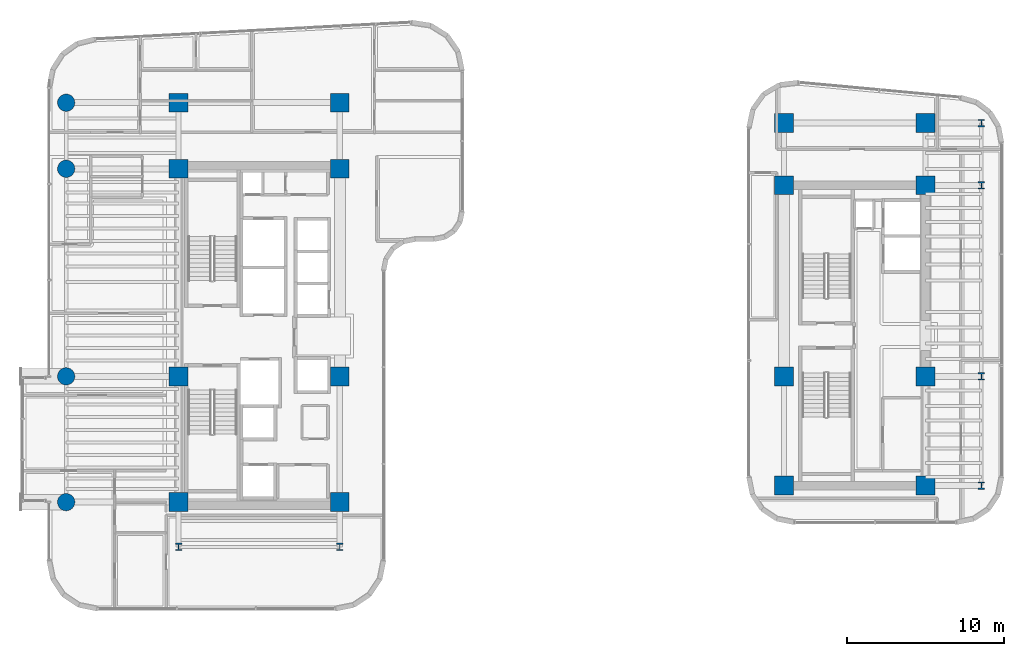
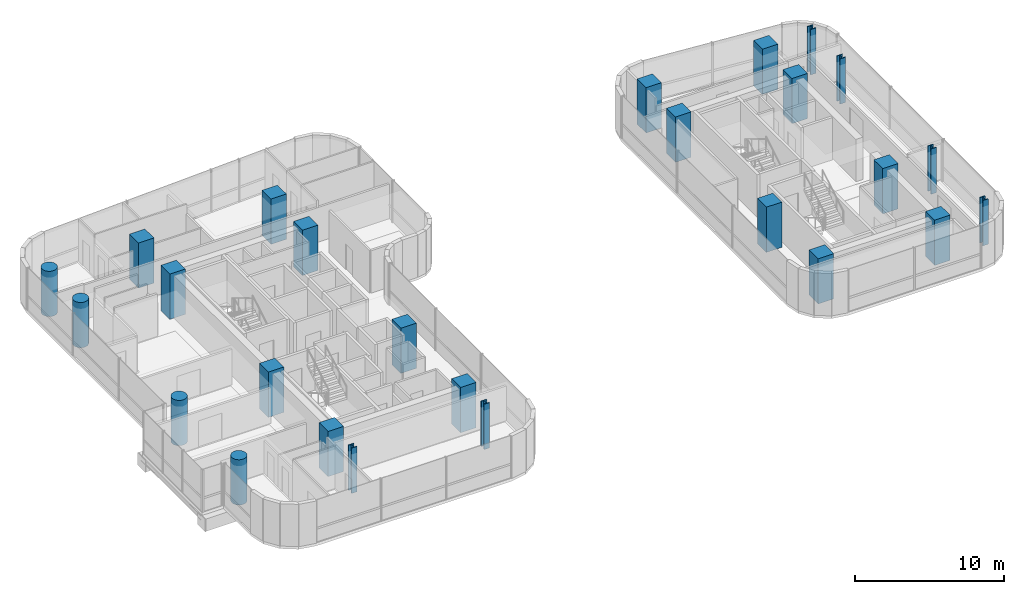
# One storey, part 1 of 34: 26 columns.
"""IFC4 building model written with IfcOpenShell, lengths in metres."""

from ifc_helpers import new_model, si_unit, direction, frame, origin, origin_2d, place, context, subcontext, project, spatial, rectangle, circle, i_section, extrude, source, transform, mapped, material, material_profile, profile_set, type_object, element, save


model = new_model("IFC4")

# Units and contexts
model_context = context("Model", 3, precision=1e-05, world=origin(), true_north=direction((0.0, 1.0)))
body_context = subcontext(model_context, "Body", "Model", "MODEL_VIEW")
ifc_project = project(units=[si_unit("LENGTHUNIT", "METRE"), si_unit("AREAUNIT", "SQUARE_METRE"), si_unit("VOLUMEUNIT", "CUBIC_METRE"), si_unit("PLANEANGLEUNIT", "RADIAN"), si_unit("MASSUNIT", "GRAM", prefix="KILO")], contexts=[model_context])

# Site, building, storey
site_placement = place(None, origin())
site = spatial("IfcSite", under=ifc_project, at=site_placement, CompositionType="ELEMENT")
building_placement = place(site_placement, origin())
building = spatial("IfcBuilding", under=site, at=building_placement, Name="Valdorenza Pilgrim Sanctuary Tower", CompositionType="ELEMENT")
storey_placement = place(building_placement, frame((0.0, 0.0, 164.89990234375)))
storey = spatial("IfcBuildingStorey", under=building, at=storey_placement, Name="L42", CompositionType="ELEMENT", Elevation=164.89990234375)

# Columns
ifc_material_1 = material(Name="Concrete C50/60", Category="concrete")
ifc_material_profile_1 = material_profile(ifc_material_1, circle(Radius=0.550048828125, at=origin_2d()), Name="RC D1100")
ifc_profile_set_1 = profile_set([ifc_material_profile_1], Name="Concrete C50/60")
column_type_1 = type_object("IfcColumnType", Name="COL-RND-1100", PredefinedType="COLUMN", material=ifc_profile_set_1)
shared_shape_1 = source(origin(), body_context, "Body", "SweptSolid", [
    extrude(circle(Radius=0.550048828125, at=origin_2d()), origin(), (0.0, 0.0, 1.0), 3.7001953125),
])
for number, where, z_axis, x_axis, name in (
    (1, (-29.800048828125, -10.60009765625, 0.0), (0.0, 0.0, 1.0), (1.0, 0.0, 0.0), "L42 Perimeter Column WA-W-S1"),
    (2, (-29.800048828125, -2.60009765625, 0.0), (0.0, 0.0, 1.0), (1.0, 0.0, 0.0), "L42 Perimeter Column WA-W-M0"),
    (3, (-29.800048828125, 10.60009765625, 0.0), (0.0, 0.0, 1.0), (1.0, 0.0, 0.0), "L42 Perimeter Column WA-W-N1"),
    (4, (-29.800048828125, 14.800048828125, 0.0), (0.0, 0.0, 1.0), (1.0, 0.0, 0.0), "L42 Perimeter Column WA-W-N2"),
):
    element("IfcColumn", number, at=place(storey_placement, frame(where, z_axis=z_axis, x_axis=x_axis)), inside=storey, type_object=column_type_1, Name=name, PredefinedType="COLUMN", context=body_context, shape_type="MappedRepresentation", body=[
        mapped(shared_shape_1, transform((0.0, 0.0, 0.0), x_axis=(1.0, 0.0, 0.0), y_axis=(0.0, 1.0, 0.0), z_axis=(0.0, 0.0, 1.0), scale=1.0)),
    ])
ifc_material_2 = material(Name="Concrete C60/75", Category="concrete")
ifc_material_profile_2 = material_profile(ifc_material_2, rectangle(XDim=1.199951171875, YDim=1.199951171875, at=origin_2d()), Name="RC 1200x1200")
ifc_profile_set_2 = profile_set([ifc_material_profile_2], Name="Concrete C60/75")
column_type_2 = type_object("IfcColumnType", Name="COL-Z2-1200", PredefinedType="COLUMN", material=ifc_profile_set_2)
shared_shape_2 = source(origin(), body_context, "Body", "SweptSolid", [
    extrude(rectangle(XDim=1.199951171875, YDim=1.199951171875, at=origin_2d()), origin(), (0.0, 0.0, 1.0), 3.7001953125),
])
for number, where, z_axis, x_axis, name in (
    (5, (-22.64990234375, -10.60009765625, 0.0), (0.0, 0.0, 1.0), (1.0, 0.0, 0.0), "L42 Column CA-W-S1"),
    (6, (-12.39990234375, -10.60009765625, 0.0), (0.0, 0.0, 1.0), (1.0, 0.0, 0.0), "L42 Column CA-E-S1"),
    (7, (-22.64990234375, -2.60009765625, 0.0), (0.0, 0.0, 1.0), (1.0, 0.0, 0.0), "L42 Column CA-W-M0"),
    (8, (-12.39990234375, -2.60009765625, 0.0), (0.0, 0.0, 1.0), (1.0, 0.0, 0.0), "L42 Column CA-E-M0"),
    (9, (-22.64990234375, 10.60009765625, 0.0), (0.0, 0.0, 1.0), (1.0, 0.0, 0.0), "L42 Column CA-W-N1"),
    (10, (-12.39990234375, 10.60009765625, 0.0), (0.0, 0.0, 1.0), (1.0, 0.0, 0.0), "L42 Column CA-E-N1"),
    (11, (-22.64990234375, 14.800048828125, 0.0), (0.0, 0.0, 1.0), (1.0, 0.0, 0.0), "L42 Column CA-W-N2"),
    (12, (-12.39990234375, 14.800048828125, 0.0), (0.0, 0.0, 1.0), (1.0, 0.0, 0.0), "L42 Column CA-E-N2"),
    (13, (15.85009765625, -9.550048828125, 0.0), (0.0, 0.0, 1.0), (1.0, 0.0, 0.0), "L42 Column CB-W-S1"),
    (14, (24.85009765625, -9.550048828125, 0.0), (0.0, 0.0, 1.0), (1.0, 0.0, 0.0), "L42 Column CB-E-S1"),
    (15, (15.85009765625, -2.60009765625, 0.0), (0.0, 0.0, 1.0), (1.0, 0.0, 0.0), "L42 Column CB-W-M0"),
    (16, (24.85009765625, -2.60009765625, 0.0), (0.0, 0.0, 1.0), (1.0, 0.0, 0.0), "L42 Column CB-E-M0"),
    (17, (15.85009765625, 9.550048828125, 0.0), (0.0, 0.0, 1.0), (1.0, 0.0, 0.0), "L42 Column CB-W-N1"),
    (18, (24.85009765625, 9.550048828125, 0.0), (0.0, 0.0, 1.0), (1.0, 0.0, 0.0), "L42 Column CB-E-N1"),
    (19, (15.85009765625, 13.5, 0.0), (0.0, 0.0, 1.0), (1.0, 0.0, 0.0), "L42 Column CB-W-N2"),
    (20, (24.85009765625, 13.5, 0.0), (0.0, 0.0, 1.0), (1.0, 0.0, 0.0), "L42 Column CB-E-N2"),
):
    element("IfcColumn", number, at=place(storey_placement, frame(where, z_axis=z_axis, x_axis=x_axis)), inside=storey, type_object=column_type_2, Name=name, PredefinedType="COLUMN", context=body_context, shape_type="MappedRepresentation", body=[
        mapped(shared_shape_2, transform((0.0, 0.0, 0.0), x_axis=(1.0, 0.0, 0.0), y_axis=(0.0, 1.0, 0.0), z_axis=(0.0, 0.0, 1.0), scale=1.0)),
    ])
ifc_material_3 = material(Name="Steel ASTM A992 Grade 50", Category="steel")
ifc_material_profile_3 = material_profile(ifc_material_3, i_section(OverallWidth=0.424072265625, OverallDepth=0.47412109375, WebThickness=0.047607421875, FlangeThickness=0.0771484375, at=origin_2d()), Name="W14X426")
ifc_profile_set_3 = profile_set([ifc_material_profile_3], Name="Steel ASTM A992 Grade 50")
column_type_3 = type_object("IfcColumnType", Name="COL-STL-W426", PredefinedType="COLUMN", material=ifc_profile_set_3)
shared_shape_3 = source(origin(), body_context, "Body", "SweptSolid", [
    extrude(i_section(OverallWidth=0.424072265625, OverallDepth=0.47412109375, WebThickness=0.047607421875, FlangeThickness=0.0771484375, at=origin_2d()), origin(), (0.0, 0.0, 1.0), 3.7001953125),
])
for number, where, z_axis, x_axis, name in (
    (21, (-22.64990234375, -13.449951171875, 0.0), (0.0, 0.0, 1.0), (1.0, 0.0, 0.0), "L42 Column WA-S-W"),
    (22, (-12.39990234375, -13.449951171875, 0.0), (0.0, 0.0, 1.0), (1.0, 0.0, 0.0), "L42 Column WA-S-E"),
    (23, (28.39990234375, -9.550048828125, 0.0), (0.0, 0.0, 1.0), (1.0, 0.0, 0.0), "L42 Perimeter Column WB-E-S1"),
    (24, (28.39990234375, -2.60009765625, 0.0), (0.0, 0.0, 1.0), (1.0, 0.0, 0.0), "L42 Perimeter Column WB-E-M0"),
    (25, (28.39990234375, 9.550048828125, 0.0), (0.0, 0.0, 1.0), (1.0, 0.0, 0.0), "L42 Perimeter Column WB-E-N1"),
    (26, (28.39990234375, 13.5, 0.0), (0.0, 0.0, 1.0), (1.0, 0.0, 0.0), "L42 Perimeter Column WB-E-N2"),
):
    element("IfcColumn", number, at=place(storey_placement, frame(where, z_axis=z_axis, x_axis=x_axis)), inside=storey, type_object=column_type_3, Name=name, PredefinedType="COLUMN", context=body_context, shape_type="MappedRepresentation", body=[
        mapped(shared_shape_3, transform((0.0, 0.0, 0.0), x_axis=(1.0, 0.0, 0.0), y_axis=(0.0, 1.0, 0.0), z_axis=(0.0, 0.0, 1.0), scale=1.0)),
    ])

save(model, "model.ifc")
